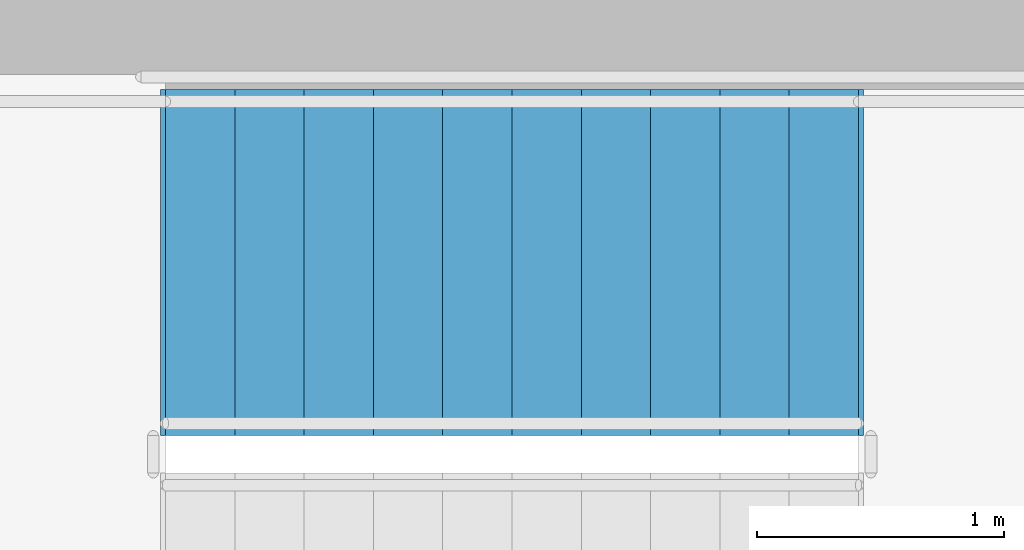
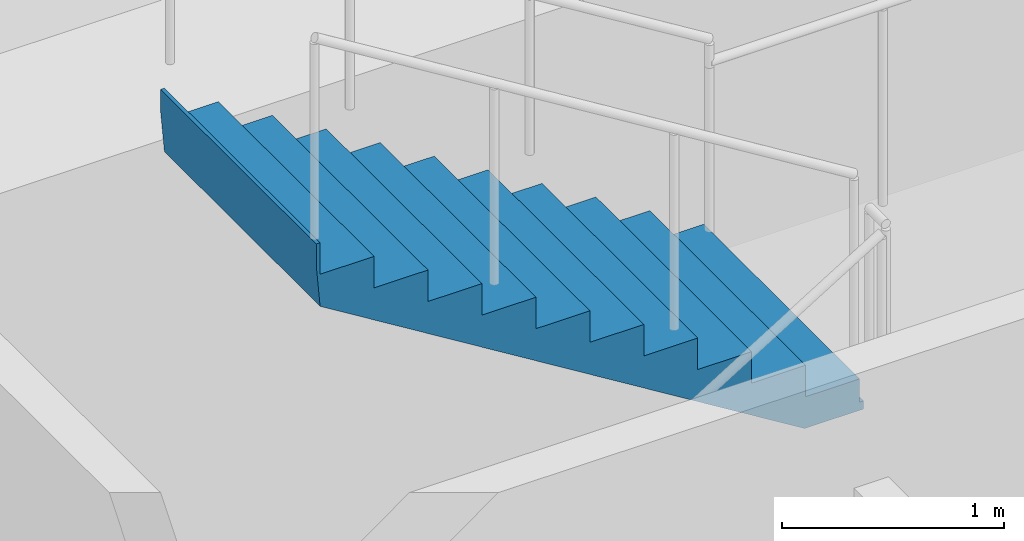
# One storey, part 11 of 19: 1 stair flight, 1 element without a shape of its own.
"""IFC4 building model written with IfcOpenShell, lengths in metres."""

from ifc_helpers import new_model, si_unit, direction, frame, origin, place, context, subcontext, project, spatial, polyline, outline, extrude, material, type_object, element, aggregate, save


model = new_model("IFC4")

# Units and contexts
model_context = context("Model", 3, precision=1e-05, world=origin(), true_north=direction((0.0, 1.0)))
body_context = subcontext(model_context, "Body", "Model", "MODEL_VIEW")
ifc_project = project(units=[si_unit("LENGTHUNIT", "METRE"), si_unit("AREAUNIT", "SQUARE_METRE"), si_unit("VOLUMEUNIT", "CUBIC_METRE"), si_unit("PLANEANGLEUNIT", "RADIAN"), si_unit("MASSUNIT", "GRAM", prefix="KILO")], contexts=[model_context])

# Site, building, storey
site_placement = place(None, origin())
site = spatial("IfcSite", under=ifc_project, at=site_placement, CompositionType="ELEMENT")
building_placement = place(site_placement, origin())
building = spatial("IfcBuilding", under=site, at=building_placement, Name="Valkerne Bourse Tower", CompositionType="ELEMENT")
storey_placement = place(building_placement, frame((0.0, 0.0, 131.39990234375)))
storey = spatial("IfcBuildingStorey", under=building, at=storey_placement, Name="L33", CompositionType="ELEMENT", Elevation=131.39990234375)

# Stair, stair flight
ifc_material = material(Name="Concrete C40/50", Category="concrete")
stair_type = type_object("IfcStairType", Name="ST-CORE-1400", PredefinedType="HALF_TURN_STAIR", material=ifc_material)
stair_placement = place(storey_placement, origin())
stair = element("IfcStair", 1, at=stair_placement, inside=storey, type_object=stair_type, Name="L33 ST-2", PredefinedType="HALF_TURN_STAIR")
stair_flight_type = type_object("IfcStairFlightType", Name="STF-CORE-1400", PredefinedType="STRAIGHT", material=ifc_material)
stair_flight_placement = place(storey_placement, frame((50.949951171875, 34.449951171875, 1.900146484375), z_axis=(0.0, 0.0, 1.0), x_axis=(-1.0, 0.0, 0.0)))
stair_flight = element("IfcStairFlight", 2, at=stair_flight_placement, type_object=stair_flight_type, Name="ST-2 flight 2", NumberOfRisers=11, NumberOfTreads=10, PredefinedType="STRAIGHT", RiserHeight=0.172727273, TreadLength=0.28, context=body_context, shape_type="SweptSolid", body=[
    extrude(outline(polyline([(-0.02001953125, 0.0), (-0.02001953125, 0.044921875), (0.0, 0.044921875), (0.0, 0.172607421875), (0.280029296875, 0.172607421875), (0.280029296875, 0.345458984375), (0.56005859375, 0.345458984375), (0.56005859375, 0.51806640625), (0.840087890625, 0.51806640625), (0.840087890625, 0.69091796875), (1.1201171875, 0.69091796875), (1.1201171875, 0.863525390625), (1.39990234375, 0.863525390625), (1.39990234375, 1.036376953125), (1.679931640625, 1.036376953125), (1.679931640625, 1.208984375), (1.9599609375, 1.208984375), (1.9599609375, 1.3818359375), (2.239990234375, 1.3818359375), (2.239990234375, 1.554443359375), (2.52001953125, 1.554443359375), (2.52001953125, 1.727294921875), (2.800048828125, 1.727294921875), (2.800048828125, 1.89990234375), (2.820068359375, 1.89990234375), (2.820068359375, 1.780029296875), (2.800048828125, 1.551025390625), (0.285400390625, 0.0), (-0.02001953125, 0.0)])), frame((0.0, 0.699951171875, 0.0), z_axis=(0.0, -1.0, 0.0), x_axis=(1.0, 0.0, 0.0)), (0.0, 0.0, 1.0), 1.39990234375),
])
aggregate(stair, [stair_flight])

save(model, "model.ifc")
